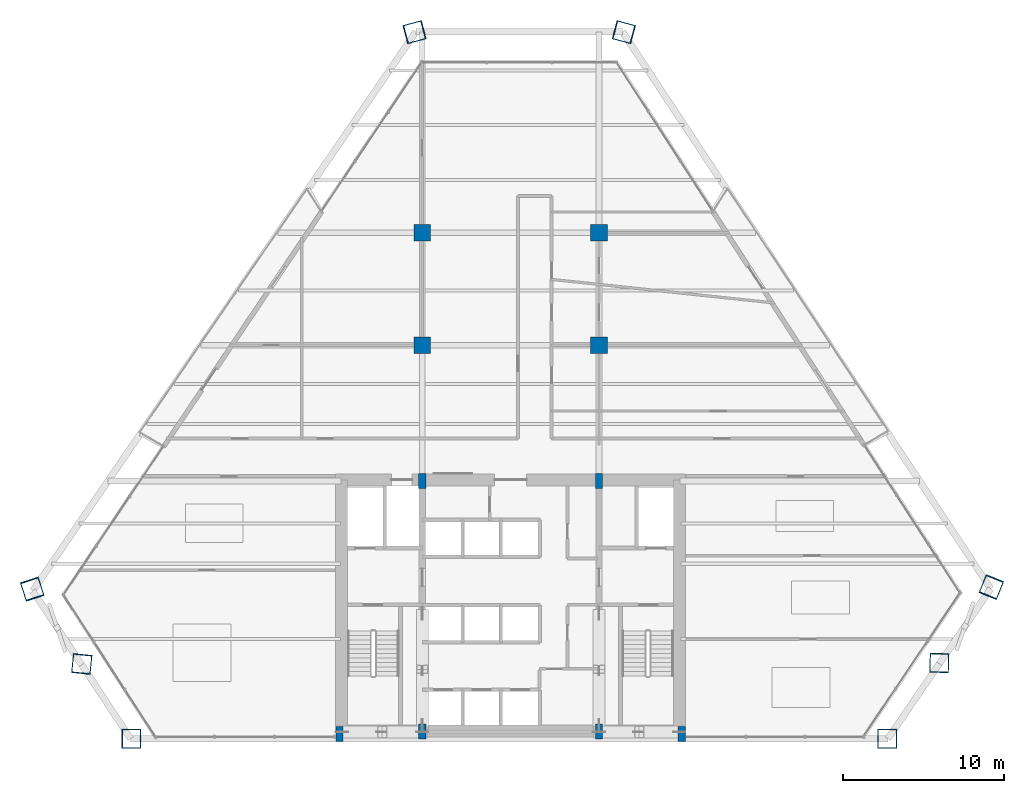
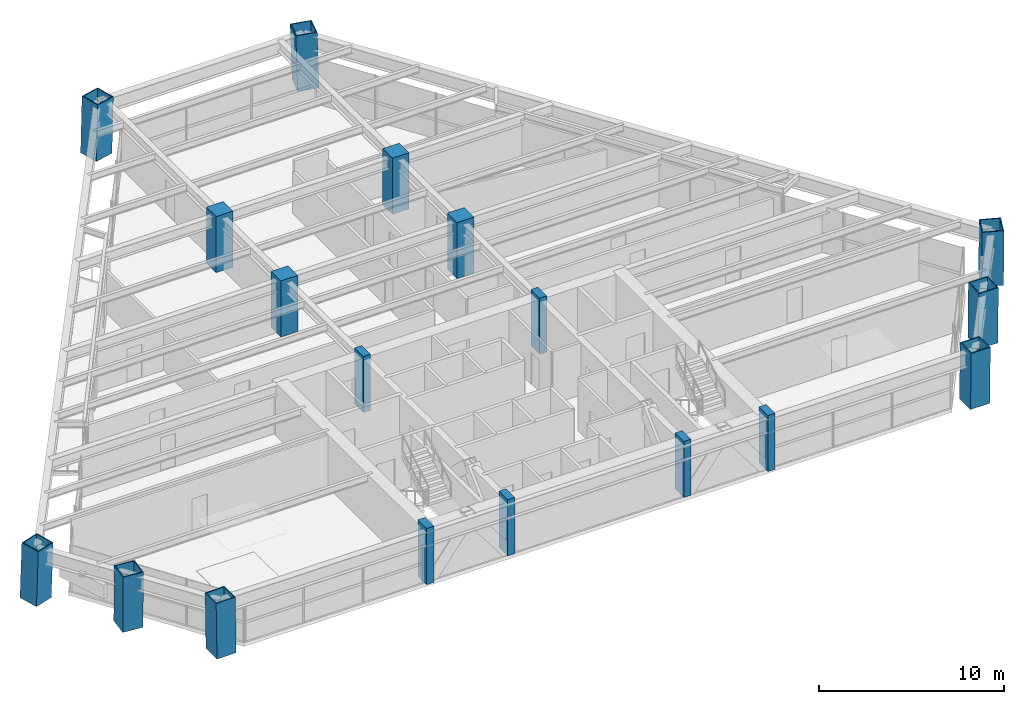
# One storey, part 1 of 14: 18 columns.
"""IFC4 building model written with IfcOpenShell, lengths in metres."""

from ifc_helpers import new_model, si_unit, direction, frame, origin, origin_2d, place, context, subcontext, project, spatial, rectangle, hollow_rectangle, extrude, source, transform, mapped, material, material_profile, profile_set, type_object, type_shapes, element, save


model = new_model("IFC4")

# Units and contexts
model_context = context("Model", 3, precision=1e-05, world=origin(), true_north=direction((0.0, 1.0)))
body_context = subcontext(model_context, "Body", "Model", "MODEL_VIEW")
ifc_project = project(units=[si_unit("LENGTHUNIT", "METRE"), si_unit("AREAUNIT", "SQUARE_METRE"), si_unit("VOLUMEUNIT", "CUBIC_METRE"), si_unit("PLANEANGLEUNIT", "RADIAN"), si_unit("MASSUNIT", "GRAM", prefix="KILO")], contexts=[model_context])

# Site, building, storey
site_placement = place(None, origin())
site = spatial("IfcSite", under=ifc_project, at=site_placement, CompositionType="ELEMENT")
building_placement = place(site_placement, origin())
building = spatial("IfcBuilding", under=site, at=building_placement, Name="Varnakhor Terracotta Tower", CompositionType="ELEMENT")
storey_placement = place(building_placement, frame((0.0, 0.0, 95.10009765625)))
storey = spatial("IfcBuildingStorey", under=building, at=storey_placement, Name="L23", CompositionType="ELEMENT", Elevation=95.10009765625)

# Columns
ifc_material_1 = material(Name="Concrete C50/60", Category="concrete")
ifc_material_profile_1 = material_profile(ifc_material_1, rectangle(XDim=0.449951171875, YDim=0.949951171875, at=origin_2d()), Name="RC PILASTER 950x450")
ifc_profile_set_1 = profile_set([ifc_material_profile_1], Name="Concrete C50/60")
column_type_1 = type_object("IfcColumnType", Name="COL-PIL-950x450", PredefinedType="PILASTER", material=ifc_profile_set_1)
shared_shape_1 = source(origin(), body_context, "Body", "SweptSolid", [
    extrude(rectangle(XDim=0.449951171875, YDim=0.949951171875, at=origin_2d()), origin(), (0.0, 0.0, 1.0), 3.699951171875),
])
for number, where, z_axis, x_axis, name in (
    (1, (-10.64990234375, 0.300048828125, 0.0), (0.0, 0.0, 1.0), (1.0, 0.0, 0.0), "L23 Core Pilaster CP1"),
    (2, (-5.5, 0.449951171875, 0.0), (0.0, 0.0, 1.0), (1.0, 0.0, 0.0), "L23 Core Pilaster CP2"),
    (3, (5.5, 0.449951171875, 0.0), (0.0, 0.0, 1.0), (1.0, 0.0, 0.0), "L23 Core Pilaster CP3"),
    (4, (10.64990234375, 0.300048828125, 0.0), (0.0, 0.0, 1.0), (1.0, 0.0, 0.0), "L23 Core Pilaster CP4"),
    (5, (-5.5, 16.050048828125, 0.0), (0.0, 0.0, 1.0), (1.0, 0.0, 0.0), "L23 Core Pilaster CP5"),
    (6, (5.5, 16.050048828125, 0.0), (0.0, 0.0, 1.0), (1.0, 0.0, 0.0), "L23 Core Pilaster CP6"),
):
    element("IfcColumn", number, at=place(storey_placement, frame(where, z_axis=z_axis, x_axis=x_axis)), inside=storey, type_object=column_type_1, Name=name, PredefinedType="PILASTER", context=body_context, shape_type="MappedRepresentation", body=[
        mapped(shared_shape_1, transform((0.0, 0.0, 0.0), scale=1.0)),
    ])
ifc_material_2 = material(Name="Concrete C60/75", Category="concrete")
ifc_material_profile_2 = material_profile(ifc_material_2, rectangle(XDim=1.050048828125, YDim=1.050048828125, at=origin_2d()), Name="RC 1050x1050")
ifc_profile_set_2 = profile_set([ifc_material_profile_2], Name="Concrete C60/75")
column_type_2 = type_object("IfcColumnType", Name="COL-RC-1050", PredefinedType="COLUMN", material=ifc_profile_set_2)
shared_shape_2 = source(origin(), body_context, "Body", "SweptSolid", [
    extrude(rectangle(XDim=1.050048828125, YDim=1.050048828125, at=origin_2d()), origin(), (0.0, 0.0, 1.0), 3.699951171875),
])
for number, where, z_axis, x_axis, name in (
    (7, (-5.5, 24.5, 0.0), (0.0, 0.0, 1.0), (1.0, 0.0, 0.0), "L23 Interior Tower Column IC1"),
    (8, (5.5, 24.5, 0.0), (0.0, 0.0, 1.0), (1.0, 0.0, 0.0), "L23 Interior Tower Column IC2"),
    (9, (-5.5, 31.5, 0.0), (0.0, 0.0, 1.0), (1.0, 0.0, 0.0), "L23 Interior Tower Column IC3"),
    (10, (5.5, 31.5, 0.0), (0.0, 0.0, 1.0), (1.0, 0.0, 0.0), "L23 Interior Tower Column IC4"),
):
    element("IfcColumn", number, at=place(storey_placement, frame(where, z_axis=z_axis, x_axis=x_axis)), inside=storey, type_object=column_type_2, Name=name, PredefinedType="COLUMN", context=body_context, shape_type="MappedRepresentation", body=[
        mapped(shared_shape_2, transform((0.0, 0.0, 0.0), scale=1.0)),
    ])
ifc_material_3 = material(Name="Steel S460", Category="steel")
ifc_material_profile_3 = material_profile(ifc_material_3, hollow_rectangle(XDim=1.199951171875, YDim=1.199951171875, WallThickness=0.06005859375, at=origin_2d()), Name="BOX 1200x1200x60")
ifc_profile_set_3 = profile_set([ifc_material_profile_3], Name="Steel S460")
column_type_3 = type_object("IfcColumnType", Name="COL-MEGA-1200", PredefinedType="COLUMN", material=ifc_profile_set_3)
shared_shape_3 = source(origin(), body_context, "Body", "SweptSolid", [
    extrude(hollow_rectangle(XDim=1.199951171875, YDim=1.199951171875, WallThickness=0.06005859375, at=origin_2d()), origin(), (0.0, 0.0, 1.0), 3.691650390625),
])
type_shapes(column_type_3, [shared_shape_3])
for number, where, z_axis, x_axis, name in (
    (11, (-23.605712890625, 0.0, 0.00439453125), (-0.01435132298, 0.0, 0.999897014461), (0.0, -1.0, 0.0), "L23 Perimeter Mega-Column M1"),
    (12, (26.685302734375, 4.73095703125, 0.00439453125), (-0.000396800785, -0.016004298321, 0.99987184428), (0.999692785574, -0.024785771543, 0.0), "L23 Perimeter Mega-Column M3"),
    (13, (-26.69775390625, 4.66845703125, 0.00439453125), (-0.001719443367, -0.016863771486, 0.999856318041), (0.994842180099, -0.101434888951, 0.0), "L23 Perimeter Mega-Column M8"),
):
    element("IfcColumn", number, at=place(storey_placement, frame(where, z_axis=z_axis, x_axis=x_axis)), inside=storey, type_object=column_type_3, Name=name, PredefinedType="COLUMN", context=body_context, shape_type="MappedRepresentation", body=[
        mapped(shared_shape_3, transform((0.0, 0.0, 0.0), scale=1.0)),
    ])
shared_shape_4 = source(origin(), body_context, "Body", "SweptSolid", [
    extrude(hollow_rectangle(XDim=1.199951171875, YDim=1.199951171875, WallThickness=0.06005859375, at=origin_2d()), origin(), (0.0, 0.0, 1.0), 3.69140625),
])
column_placement = place(storey_placement, frame((23.437255859375, 0.0, 0.00439453125), z_axis=(0.012036961087, 0.0, 0.99992755316), x_axis=(0.0, 1.0, 0.0)))
element("IfcColumn", 14, at=column_placement, inside=storey, type_object=column_type_3, Name="L23 Perimeter Mega-Column M2", PredefinedType="COLUMN", context=body_context, shape_type="MappedRepresentation", body=[
    mapped(shared_shape_4, transform((0.0, 0.0, 0.0), scale=1.0)),
])
shared_shape_5 = source(origin(), body_context, "Body", "SweptSolid", [
    extrude(hollow_rectangle(XDim=1.199951171875, YDim=1.199951171875, WallThickness=0.06005859375, at=origin_2d()), origin(), (0.0, 0.0, 1.0), 3.693359375),
])
for number, where, z_axis, x_axis, name in (
    (15, (29.933349609375, 9.4619140625, 0.00439453125), (-0.012890003655, -0.031993650097, 0.999404950037), (0.927548640391, -0.373702448091, 0.0), "L23 Perimeter Mega-Column M4"),
    (16, (-29.789794921875, 9.3369140625, 0.00439453125), (0.010906567701, -0.033711209257, 0.999372103449), (0.951444518554, 0.307820285415, 0.0), "L23 Perimeter Mega-Column M7"),
):
    element("IfcColumn", number, at=place(storey_placement, frame(where, z_axis=z_axis, x_axis=x_axis)), inside=storey, type_object=column_type_3, Name=name, PredefinedType="COLUMN", context=body_context, shape_type="MappedRepresentation", body=[
        mapped(shared_shape_5, transform((0.0, 0.0, 0.0), scale=1.0)),
    ])
shared_shape_6 = source(origin(), body_context, "Body", "SweptSolid", [
    extrude(hollow_rectangle(XDim=1.199951171875, YDim=1.199951171875, WallThickness=0.06005859375, at=origin_2d()), origin(), (0.0, 0.0, 1.0), 3.692626953125),
])
for number, where, z_axis, x_axis, name in (
    (17, (7.065673828125, 43.987060546875, 0.00439453125), (-0.027768141075, 0.00740483762, 0.999586964061), (-0.25766265056, -0.966234939601, 0.0), "L23 Perimeter Mega-Column M5"),
    (18, (-6.00048828125, 43.987060546875, 0.00439453125), (0.027834204535, 0.007404824009, 0.99958512676), (-0.257091122559, 0.966387166048, 0.0), "L23 Perimeter Mega-Column M6"),
):
    element("IfcColumn", number, at=place(storey_placement, frame(where, z_axis=z_axis, x_axis=x_axis)), inside=storey, type_object=column_type_3, Name=name, PredefinedType="COLUMN", context=body_context, shape_type="MappedRepresentation", body=[
        mapped(shared_shape_6, transform((0.0, 0.0, 0.0), scale=1.0)),
    ])

save(model, "model.ifc")
